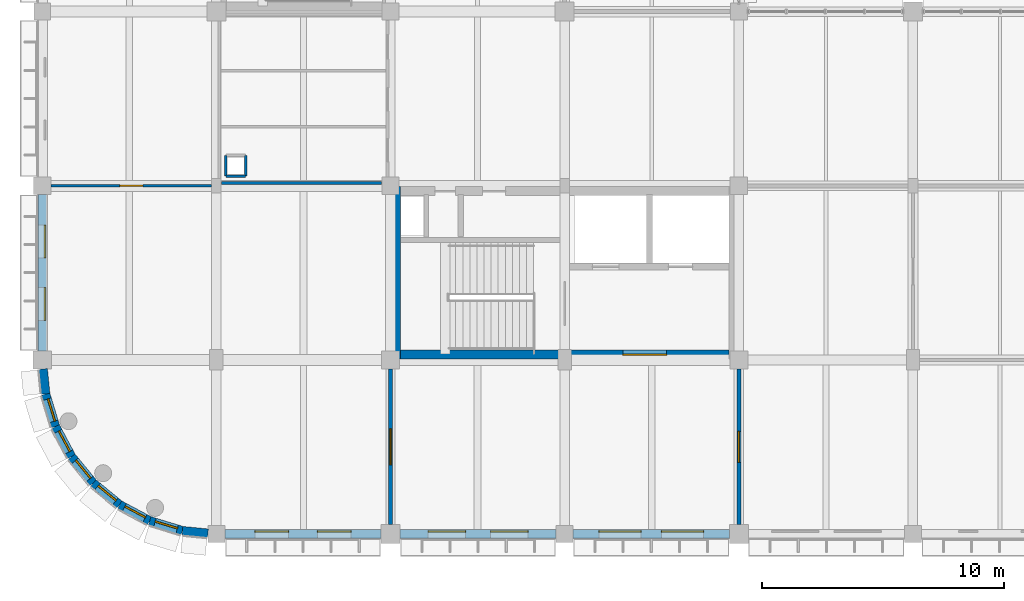
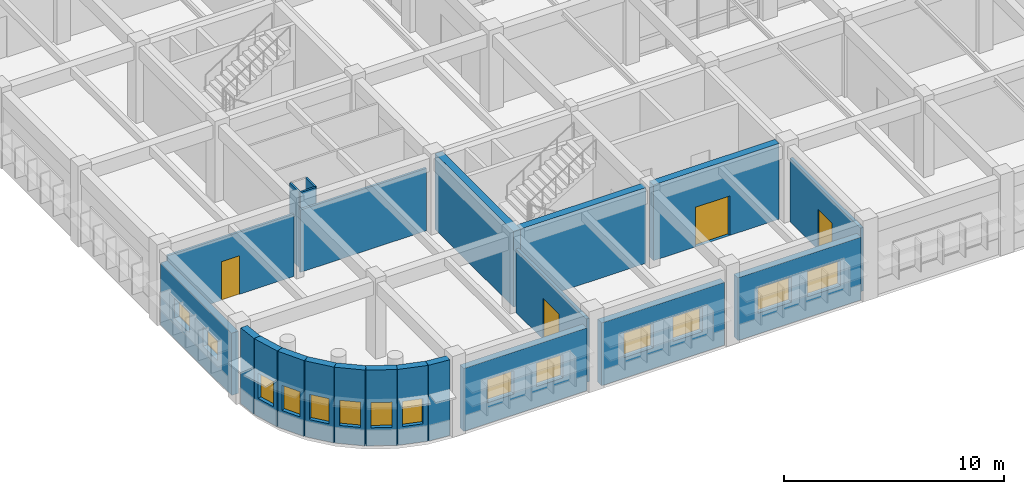
# One storey, part 147 of 171: 22 walls, 14 windows, 4 doors, 18 openings.
"""IFC4 building model written with IfcOpenShell, lengths in metres."""

from ifc_helpers import new_model, si_unit, direction, frame, frame_2d, origin, place, context, subcontext, project, spatial, rectangle, extrude, material, layer, layer_set, type_object, element, fill, save


model = new_model("IFC4")

# Units and contexts
model_context = context("Model", 3, precision=1e-05, world=origin(), true_north=direction((0.0, 1.0)))
body_context = subcontext(model_context, "Body", "Model", "MODEL_VIEW")
ifc_project = project(units=[si_unit("LENGTHUNIT", "METRE"), si_unit("AREAUNIT", "SQUARE_METRE"), si_unit("VOLUMEUNIT", "CUBIC_METRE"), si_unit("PLANEANGLEUNIT", "RADIAN"), si_unit("MASSUNIT", "GRAM", prefix="KILO")], contexts=[model_context])

# Site, building, storey
site_placement = place(None, origin())
site = spatial("IfcSite", under=ifc_project, at=site_placement, CompositionType="ELEMENT")
building_placement = place(site_placement, origin())
building = spatial("IfcBuilding", under=site, at=building_placement, Name="Thalmaran Polytechnic", CompositionType="ELEMENT")
storey_placement = place(building_placement, frame((0.0, 0.0, 5.39990234375)))
storey = spatial("IfcBuildingStorey", under=building, at=storey_placement, Name="L01", CompositionType="ELEMENT", Elevation=5.39990234375)

# Wall
ifc_material_1 = material(Name="Precast concrete C40/50", Category="concrete")
ifc_layer_1 = layer(ifc_material_1, 0.360107421875, Name="Precast concrete C40/50")
ifc_layer_set_1 = layer_set([ifc_layer_1], Name="Precast concrete C40/50")
wall_type_1 = type_object("IfcWallType", Name="WL-EW01", PredefinedType="STANDARD", material=ifc_layer_set_1)
wall_1_placement = place(storey_placement, frame((0.138427734375, 5.79541015625, 0.0), z_axis=(0.0, 0.0, 1.0), x_axis=(-0.097987704654, 0.995187625394, 0.0)))
element("IfcWall", 1, at=wall_1_placement, inside=storey, type_object=wall_type_1, Name="Exterior Precast Facade Wall L01-001", PredefinedType="STANDARD", context=body_context, shape_type="SweptSolid", body=[
    extrude(rectangle(XDim=1.036376953125, YDim=0.360107421875, at=frame_2d((0.51806640625, 0.0))), origin(), (0.0, 0.0, 1.0), 4.210205078125),
])

# Wall, openings, windows
wall_2_placement = place(storey_placement, frame((0.0, 7.574951171875, 0.0), z_axis=(0.0, 0.0, 1.0), x_axis=(0.0, 1.0, 0.0)))
wall_2 = element("IfcWall", 2, at=wall_2_placement, inside=storey, type_object=wall_type_1, Name="Exterior Precast Facade Wall L01-002", PredefinedType="STANDARD", context=body_context, shape_type="SweptSolid", body=[
    extrude(rectangle(XDim=6.465087890625, YDim=0.360107421875, at=frame_2d((3.232421875, 0.0))), origin(), (0.0, 0.0, 1.0), 3.455078125),
])
opening_1_placement = place(wall_2_placement, frame((1.264404296875, 0.0, 1.14990234375)))
opening_1 = element("IfcOpeningElement", 3, at=opening_1_placement, cuts=wall_2, Name="Opening PW15", PredefinedType="OPENING", context=body_context, shape_type="SweptSolid", body=[
    extrude(rectangle(XDim=1.35009765625, YDim=1.10009765625, at=frame_2d((0.675048828125, 0.550048828125))), frame((0.0, 0.18994140625, 0.0), z_axis=(0.0, -1.0, 0.0), x_axis=(1.0, 0.0, 0.0)), (0.0, 0.0, 1.0), 0.380126953125),
])
opening_2_placement = place(wall_2_placement, frame((3.8505859375, 0.0, 1.14990234375)))
opening_2 = element("IfcOpeningElement", 4, at=opening_2_placement, cuts=wall_2, Name="Opening PW15", PredefinedType="OPENING", context=body_context, shape_type="SweptSolid", body=[
    extrude(rectangle(XDim=1.35009765625, YDim=1.10009765625, at=frame_2d((0.675048828125, 0.550048828125))), frame((0.0, 0.18994140625, 0.0), z_axis=(0.0, -1.0, 0.0), x_axis=(1.0, 0.0, 0.0)), (0.0, 0.0, 1.0), 0.380126953125),
])
ifc_material_2 = material(Name="Thermally broken aluminium and double low-E glass", Category="aluminium")
window_type_1 = type_object("IfcWindowType", Name="WN-PW05", PartitioningType="SINGLE_PANEL", PredefinedType="WINDOW", material=ifc_material_2)
window_1_placement = place(opening_1_placement, origin())
window_1 = element("IfcWindow", 5, at=window_1_placement, inside=storey, type_object=window_type_1, Name="Deep-Set Solar-Screened Window W-0084", OverallHeight=1.10009765625, OverallWidth=1.35009765625, PartitioningType="SINGLE_PANEL", PredefinedType="WINDOW", context=body_context, shape_type="SweptSolid", body=[
    extrude(rectangle(XDim=1.35009765625, YDim=1.10009765625, at=frame_2d((0.675048828125, 0.550048828125))), frame((0.0, -0.080078125, 0.0), z_axis=(0.0, -1.0, 0.0), x_axis=(1.0, 0.0, 0.0)), (0.0, 0.0, 1.0), 0.06005859375),
])
fill(opening_1, window_1)
window_2_placement = place(opening_2_placement, origin())
window_2 = element("IfcWindow", 6, at=window_2_placement, inside=storey, type_object=window_type_1, Name="Deep-Set Solar-Screened Window W-0085", OverallHeight=1.10009765625, OverallWidth=1.35009765625, PartitioningType="SINGLE_PANEL", PredefinedType="WINDOW", context=body_context, shape_type="SweptSolid", body=[
    extrude(rectangle(XDim=1.35009765625, YDim=1.10009765625, at=frame_2d((0.675048828125, 0.550048828125))), frame((0.0, -0.080078125, 0.0), z_axis=(0.0, -1.0, 0.0), x_axis=(1.0, 0.0, 0.0)), (0.0, 0.0, 1.0), 0.06005859375),
])
fill(opening_2, window_2)

wall_3_placement = place(storey_placement, frame((28.409912109375, 0.0, 0.0), z_axis=(0.0, 0.0, 1.0), x_axis=(-1.0, 0.0, 0.0)))
wall_3 = element("IfcWall", 7, at=wall_3_placement, inside=storey, type_object=wall_type_1, Name="Exterior Precast Facade Wall L01-089", PredefinedType="STANDARD", context=body_context, shape_type="SweptSolid", body=[
    extrude(rectangle(XDim=6.4599609375, YDim=0.360107421875, at=frame_2d((3.22998046875, 0.0))), origin(), (0.0, 0.0, 1.0), 3.489990234375),
])
opening_3_placement = place(wall_3_placement, frame((1.06298828125, 0.0, 1.14990234375)))
opening_3 = element("IfcOpeningElement", 8, at=opening_3_placement, cuts=wall_3, Name="Opening VW08", PredefinedType="OPENING", context=body_context, shape_type="SweptSolid", body=[
    extrude(rectangle(XDim=1.75, YDim=1.39990234375, at=frame_2d((0.875, 0.699951171875))), frame((0.0, 0.18994140625, 0.0), z_axis=(0.0, -1.0, 0.0), x_axis=(1.0, 0.0, 0.0)), (0.0, 0.0, 1.0), 0.380126953125),
])
opening_4_placement = place(wall_3_placement, frame((3.64697265625, 0.0, 1.14990234375)))
opening_4 = element("IfcOpeningElement", 9, at=opening_4_placement, cuts=wall_3, Name="Opening VW08", PredefinedType="OPENING", context=body_context, shape_type="SweptSolid", body=[
    extrude(rectangle(XDim=1.75, YDim=1.39990234375, at=frame_2d((0.875, 0.699951171875))), frame((0.0, 0.18994140625, 0.0), z_axis=(0.0, -1.0, 0.0), x_axis=(1.0, 0.0, 0.0)), (0.0, 0.0, 1.0), 0.380126953125),
])
window_type_2 = type_object("IfcWindowType", Name="WN-VZ08", PartitioningType="SINGLE_PANEL", PredefinedType="WINDOW", material=ifc_material_2)
window_3_placement = place(opening_3_placement, origin())
window_3 = element("IfcWindow", 10, at=window_3_placement, inside=storey, type_object=window_type_2, Name="Deep-Set Solar-Screened Window W-0149", OverallHeight=1.39990234375, OverallWidth=1.75, PartitioningType="SINGLE_PANEL", PredefinedType="WINDOW", context=body_context, shape_type="SweptSolid", body=[
    extrude(rectangle(XDim=1.75, YDim=1.39990234375, at=frame_2d((0.875, 0.699951171875))), frame((0.0, -0.080078125, 0.0), z_axis=(0.0, -1.0, 0.0), x_axis=(1.0, 0.0, 0.0)), (0.0, 0.0, 1.0), 0.06005859375),
])
fill(opening_3, window_3)
window_4_placement = place(opening_4_placement, origin())
window_4 = element("IfcWindow", 11, at=window_4_placement, inside=storey, type_object=window_type_2, Name="Deep-Set Solar-Screened Window W-0150", OverallHeight=1.39990234375, OverallWidth=1.75, PartitioningType="SINGLE_PANEL", PredefinedType="WINDOW", context=body_context, shape_type="SweptSolid", body=[
    extrude(rectangle(XDim=1.75, YDim=1.39990234375, at=frame_2d((0.875, 0.699951171875))), frame((0.0, -0.080078125, 0.0), z_axis=(0.0, -1.0, 0.0), x_axis=(1.0, 0.0, 0.0)), (0.0, 0.0, 1.0), 0.06005859375),
])
fill(opening_4, window_4)

wall_4_placement = place(storey_placement, frame((21.25, 0.0, 0.0), z_axis=(0.0, 0.0, 1.0), x_axis=(-1.0, 0.0, 0.0)))
wall_4 = element("IfcWall", 12, at=wall_4_placement, inside=storey, type_object=wall_type_1, Name="Exterior Precast Facade Wall L01-090", PredefinedType="STANDARD", context=body_context, shape_type="SweptSolid", body=[
    extrude(rectangle(XDim=6.4599609375, YDim=0.360107421875, at=frame_2d((3.22998046875, 0.0))), origin(), (0.0, 0.0, 1.0), 3.489990234375),
])
opening_5_placement = place(wall_4_placement, frame((1.1630859375, 0.0, 1.14990234375)))
opening_5 = element("IfcOpeningElement", 13, at=opening_5_placement, cuts=wall_4, Name="Opening VW09", PredefinedType="OPENING", context=body_context, shape_type="SweptSolid", body=[
    extrude(rectangle(XDim=1.550048828125, YDim=1.35009765625, at=frame_2d((0.77490234375, 0.675048828125))), frame((0.0, 0.18994140625, 0.0), z_axis=(0.0, -1.0, 0.0), x_axis=(1.0, 0.0, 0.0)), (0.0, 0.0, 1.0), 0.380126953125),
])
opening_6_placement = place(wall_4_placement, frame((3.7470703125, 0.0, 1.14990234375)))
opening_6 = element("IfcOpeningElement", 14, at=opening_6_placement, cuts=wall_4, Name="Opening VW09", PredefinedType="OPENING", context=body_context, shape_type="SweptSolid", body=[
    extrude(rectangle(XDim=1.550048828125, YDim=1.35009765625, at=frame_2d((0.77490234375, 0.675048828125))), frame((0.0, 0.18994140625, 0.0), z_axis=(0.0, -1.0, 0.0), x_axis=(1.0, 0.0, 0.0)), (0.0, 0.0, 1.0), 0.380126953125),
])
window_type_3 = type_object("IfcWindowType", Name="WN-VZ09", PartitioningType="SINGLE_PANEL", PredefinedType="WINDOW", material=ifc_material_2)
window_5_placement = place(opening_5_placement, origin())
window_5 = element("IfcWindow", 15, at=window_5_placement, inside=storey, type_object=window_type_3, Name="Deep-Set Solar-Screened Window W-0151", OverallHeight=1.35009765625, OverallWidth=1.550048828125, PartitioningType="SINGLE_PANEL", PredefinedType="WINDOW", context=body_context, shape_type="SweptSolid", body=[
    extrude(rectangle(XDim=1.550048828125, YDim=1.35009765625, at=frame_2d((0.77490234375, 0.675048828125))), frame((0.0, -0.080078125, 0.0), z_axis=(0.0, -1.0, 0.0), x_axis=(1.0, 0.0, 0.0)), (0.0, 0.0, 1.0), 0.06005859375),
])
fill(opening_5, window_5)
window_6_placement = place(opening_6_placement, origin())
window_6 = element("IfcWindow", 16, at=window_6_placement, inside=storey, type_object=window_type_3, Name="Deep-Set Solar-Screened Window W-0152", OverallHeight=1.35009765625, OverallWidth=1.550048828125, PartitioningType="SINGLE_PANEL", PredefinedType="WINDOW", context=body_context, shape_type="SweptSolid", body=[
    extrude(rectangle(XDim=1.550048828125, YDim=1.35009765625, at=frame_2d((0.77490234375, 0.675048828125))), frame((0.0, -0.080078125, 0.0), z_axis=(0.0, -1.0, 0.0), x_axis=(1.0, 0.0, 0.0)), (0.0, 0.0, 1.0), 0.06005859375),
])
fill(opening_6, window_6)

wall_5_placement = place(storey_placement, frame((14.010009765625, 0.0, 0.0), z_axis=(0.0, 0.0, 1.0), x_axis=(-1.0, 0.0, 0.0)))
wall_5 = element("IfcWall", 17, at=wall_5_placement, inside=storey, type_object=wall_type_1, Name="Exterior Precast Facade Wall L01-091", PredefinedType="STANDARD", context=body_context, shape_type="SweptSolid", body=[
    extrude(rectangle(XDim=6.4599609375, YDim=0.360107421875, at=frame_2d((3.22998046875, 0.0))), origin(), (0.0, 0.0, 1.0), 3.489990234375),
])
opening_7_placement = place(wall_5_placement, frame((1.238037109375, 0.0, 1.14990234375)))
opening_7 = element("IfcOpeningElement", 18, at=opening_7_placement, cuts=wall_5, Name="Opening VW10", PredefinedType="OPENING", context=body_context, shape_type="SweptSolid", body=[
    extrude(rectangle(XDim=1.39990234375, YDim=1.300048828125, at=frame_2d((0.699951171875, 0.64990234375))), frame((0.0, 0.18994140625, 0.0), z_axis=(0.0, -1.0, 0.0), x_axis=(1.0, 0.0, 0.0)), (0.0, 0.0, 1.0), 0.380126953125),
])
opening_8_placement = place(wall_5_placement, frame((3.822021484375, 0.0, 1.14990234375)))
opening_8 = element("IfcOpeningElement", 19, at=opening_8_placement, cuts=wall_5, Name="Opening VW10", PredefinedType="OPENING", context=body_context, shape_type="SweptSolid", body=[
    extrude(rectangle(XDim=1.39990234375, YDim=1.300048828125, at=frame_2d((0.699951171875, 0.64990234375))), frame((0.0, 0.18994140625, 0.0), z_axis=(0.0, -1.0, 0.0), x_axis=(1.0, 0.0, 0.0)), (0.0, 0.0, 1.0), 0.380126953125),
])
window_type_4 = type_object("IfcWindowType", Name="WN-VZ10", PartitioningType="SINGLE_PANEL", PredefinedType="WINDOW", material=ifc_material_2)
window_7_placement = place(opening_7_placement, origin())
window_7 = element("IfcWindow", 20, at=window_7_placement, inside=storey, type_object=window_type_4, Name="Deep-Set Solar-Screened Window W-0153", OverallHeight=1.300048828125, OverallWidth=1.39990234375, PartitioningType="SINGLE_PANEL", PredefinedType="WINDOW", context=body_context, shape_type="SweptSolid", body=[
    extrude(rectangle(XDim=1.39990234375, YDim=1.300048828125, at=frame_2d((0.699951171875, 0.64990234375))), frame((0.0, -0.080078125, 0.0), z_axis=(0.0, -1.0, 0.0), x_axis=(1.0, 0.0, 0.0)), (0.0, 0.0, 1.0), 0.06005859375),
])
fill(opening_7, window_7)
window_8_placement = place(opening_8_placement, origin())
window_8 = element("IfcWindow", 21, at=window_8_placement, inside=storey, type_object=window_type_4, Name="Deep-Set Solar-Screened Window W-0154", OverallHeight=1.300048828125, OverallWidth=1.39990234375, PartitioningType="SINGLE_PANEL", PredefinedType="WINDOW", context=body_context, shape_type="SweptSolid", body=[
    extrude(rectangle(XDim=1.39990234375, YDim=1.300048828125, at=frame_2d((0.699951171875, 0.64990234375))), frame((0.0, -0.080078125, 0.0), z_axis=(0.0, -1.0, 0.0), x_axis=(1.0, 0.0, 0.0)), (0.0, 0.0, 1.0), 0.06005859375),
])
fill(opening_8, window_8)

# Wall
wall_6_placement = place(storey_placement, frame((6.851806640625, 0.034423828125, 0.0), z_axis=(0.0, 0.0, 1.0), x_axis=(-0.995188591484, 0.097977892298, 0.0)))
element("IfcWall", 22, at=wall_6_placement, inside=storey, type_object=wall_type_1, Name="Exterior Precast Facade Wall L01-092", PredefinedType="STANDARD", context=body_context, shape_type="SweptSolid", body=[
    extrude(rectangle(XDim=1.0615234375, YDim=0.360107421875, at=frame_2d((0.53076171875, 0.0))), origin(), (0.0, 0.0, 1.0), 4.210205078125),
])

# Wall, opening, window
wall_7_placement = place(storey_placement, frame((5.79541015625, 0.138427734375, 0.0), z_axis=(0.0, 0.0, 1.0), x_axis=(-0.95696037757, 0.290218599957, 0.0)))
wall_7 = element("IfcWall", 23, at=wall_7_placement, inside=storey, type_object=wall_type_1, Name="Exterior Precast Facade Wall L01-093", PredefinedType="STANDARD", context=body_context, shape_type="SweptSolid", body=[
    extrude(rectangle(XDim=1.41162109375, YDim=0.360107421875, at=frame_2d((0.705810546875, 0.0))), origin(), (0.0, 0.0, 1.0), 4.210205078125),
])
opening_9_placement = place(wall_7_placement, frame((0.2255859375, 0.0, 1.0)))
opening_9 = element("IfcOpeningElement", 24, at=opening_9_placement, cuts=wall_7, Name="Opening CR01", PredefinedType="OPENING", context=body_context, shape_type="SweptSolid", body=[
    extrude(rectangle(XDim=0.9599609375, YDim=1.39990234375, at=frame_2d((0.47998046875, 0.699951171875))), frame((0.0, 0.18994140625, 0.0), z_axis=(0.0, -1.0, 0.0), x_axis=(1.0, 0.0, 0.0)), (0.0, 0.0, 1.0), 0.380126953125),
])
window_type_5 = type_object("IfcWindowType", Name="WN-CR01", PartitioningType="SINGLE_PANEL", PredefinedType="WINDOW", material=ifc_material_2)
window_9_placement = place(opening_9_placement, origin())
window_9 = element("IfcWindow", 25, at=window_9_placement, inside=storey, type_object=window_type_5, Name="Curved Prow Ribbon Window W-0155", OverallHeight=1.39990234375, OverallWidth=0.9599609375, PartitioningType="SINGLE_PANEL", PredefinedType="WINDOW", context=body_context, shape_type="SweptSolid", body=[
    extrude(rectangle(XDim=0.9599609375, YDim=1.39990234375, at=frame_2d((0.47998046875, 0.699951171875))), frame((0.0, -0.010009765625, 0.0), z_axis=(0.0, -1.0, 0.0), x_axis=(1.0, 0.0, 0.0)), (0.0, 0.0, 1.0), 0.06005859375),
])
fill(opening_9, window_9)

wall_8_placement = place(storey_placement, frame((4.444580078125, 0.548095703125, 0.0), z_axis=(0.0, 0.0, 1.0), x_axis=(-0.881916788861, 0.471405109778, 0.0)))
wall_8 = element("IfcWall", 26, at=wall_8_placement, inside=storey, type_object=wall_type_1, Name="Exterior Precast Facade Wall L01-094", PredefinedType="STANDARD", context=body_context, shape_type="SweptSolid", body=[
    extrude(rectangle(XDim=1.411376953125, YDim=0.360107421875, at=frame_2d((0.70556640625, 0.0))), origin(), (0.0, 0.0, 1.0), 4.210205078125),
])
opening_10_placement = place(wall_8_placement, frame((0.2255859375, 0.0, 1.0)))
opening_10 = element("IfcOpeningElement", 27, at=opening_10_placement, cuts=wall_8, Name="Opening CR01", PredefinedType="OPENING", context=body_context, shape_type="SweptSolid", body=[
    extrude(rectangle(XDim=0.9599609375, YDim=1.39990234375, at=frame_2d((0.47998046875, 0.699951171875))), frame((0.0, 0.18994140625, 0.0), z_axis=(0.0, -1.0, 0.0), x_axis=(1.0, 0.0, 0.0)), (0.0, 0.0, 1.0), 0.380126953125),
])
window_10_placement = place(opening_10_placement, origin())
window_10 = element("IfcWindow", 28, at=window_10_placement, inside=storey, type_object=window_type_5, Name="Curved Prow Ribbon Window W-0156", OverallHeight=1.39990234375, OverallWidth=0.9599609375, PartitioningType="SINGLE_PANEL", PredefinedType="WINDOW", context=body_context, shape_type="SweptSolid", body=[
    extrude(rectangle(XDim=0.9599609375, YDim=1.39990234375, at=frame_2d((0.47998046875, 0.699951171875))), frame((0.0, -0.010009765625, 0.0), z_axis=(0.0, -1.0, 0.0), x_axis=(1.0, 0.0, 0.0)), (0.0, 0.0, 1.0), 0.06005859375),
])
fill(opening_10, window_10)

wall_9_placement = place(storey_placement, frame((3.199951171875, 1.21337890625, 0.0), z_axis=(0.0, 0.0, 1.0), x_axis=(-0.772977670605, 0.634433227965, 0.0)))
wall_9 = element("IfcWall", 29, at=wall_9_placement, inside=storey, type_object=wall_type_1, Name="Exterior Precast Facade Wall L01-095", PredefinedType="STANDARD", context=body_context, shape_type="SweptSolid", body=[
    extrude(rectangle(XDim=1.41162109375, YDim=0.360107421875, at=frame_2d((0.705810546875, 0.0))), origin(), (0.0, 0.0, 1.0), 4.210205078125),
])
opening_11_placement = place(wall_9_placement, frame((0.2255859375, 0.0, 1.0)))
opening_11 = element("IfcOpeningElement", 30, at=opening_11_placement, cuts=wall_9, Name="Opening CR01", PredefinedType="OPENING", context=body_context, shape_type="SweptSolid", body=[
    extrude(rectangle(XDim=0.9599609375, YDim=1.39990234375, at=frame_2d((0.47998046875, 0.699951171875))), frame((0.0, 0.18994140625, 0.0), z_axis=(0.0, -1.0, 0.0), x_axis=(1.0, 0.0, 0.0)), (0.0, 0.0, 1.0), 0.380126953125),
])
window_11_placement = place(opening_11_placement, origin())
window_11 = element("IfcWindow", 31, at=window_11_placement, inside=storey, type_object=window_type_5, Name="Curved Prow Ribbon Window W-0157", OverallHeight=1.39990234375, OverallWidth=0.9599609375, PartitioningType="SINGLE_PANEL", PredefinedType="WINDOW", context=body_context, shape_type="SweptSolid", body=[
    extrude(rectangle(XDim=0.9599609375, YDim=1.39990234375, at=frame_2d((0.47998046875, 0.699951171875))), frame((0.0, -0.010009765625, 0.0), z_axis=(0.0, -1.0, 0.0), x_axis=(1.0, 0.0, 0.0)), (0.0, 0.0, 1.0), 0.06005859375),
])
fill(opening_11, window_11)

wall_10_placement = place(storey_placement, frame((2.10888671875, 2.10888671875, 0.0), z_axis=(0.0, 0.0, 1.0), x_axis=(-0.634433227965, 0.772977670605, 0.0)))
wall_10 = element("IfcWall", 32, at=wall_10_placement, inside=storey, type_object=wall_type_1, Name="Exterior Precast Facade Wall L01-096", PredefinedType="STANDARD", context=body_context, shape_type="SweptSolid", body=[
    extrude(rectangle(XDim=1.41162109375, YDim=0.360107421875, at=frame_2d((0.705810546875, 0.0))), origin(), (0.0, 0.0, 1.0), 4.210205078125),
])
opening_12_placement = place(wall_10_placement, frame((0.2255859375, 0.0, 1.0)))
opening_12 = element("IfcOpeningElement", 33, at=opening_12_placement, cuts=wall_10, Name="Opening CR01", PredefinedType="OPENING", context=body_context, shape_type="SweptSolid", body=[
    extrude(rectangle(XDim=0.9599609375, YDim=1.39990234375, at=frame_2d((0.47998046875, 0.699951171875))), frame((0.0, 0.18994140625, 0.0), z_axis=(0.0, -1.0, 0.0), x_axis=(1.0, 0.0, 0.0)), (0.0, 0.0, 1.0), 0.380126953125),
])
window_12_placement = place(opening_12_placement, origin())
window_12 = element("IfcWindow", 34, at=window_12_placement, inside=storey, type_object=window_type_5, Name="Curved Prow Ribbon Window W-0158", OverallHeight=1.39990234375, OverallWidth=0.9599609375, PartitioningType="SINGLE_PANEL", PredefinedType="WINDOW", context=body_context, shape_type="SweptSolid", body=[
    extrude(rectangle(XDim=0.9599609375, YDim=1.39990234375, at=frame_2d((0.47998046875, 0.699951171875))), frame((0.0, -0.010009765625, 0.0), z_axis=(0.0, -1.0, 0.0), x_axis=(1.0, 0.0, 0.0)), (0.0, 0.0, 1.0), 0.06005859375),
])
fill(opening_12, window_12)

wall_11_placement = place(storey_placement, frame((1.21337890625, 3.199951171875, 0.0), z_axis=(0.0, 0.0, 1.0), x_axis=(-0.471405109778, 0.881916788861, 0.0)))
wall_11 = element("IfcWall", 35, at=wall_11_placement, inside=storey, type_object=wall_type_1, Name="Exterior Precast Facade Wall L01-097", PredefinedType="STANDARD", context=body_context, shape_type="SweptSolid", body=[
    extrude(rectangle(XDim=1.411376953125, YDim=0.360107421875, at=frame_2d((0.70556640625, 0.0))), origin(), (0.0, 0.0, 1.0), 4.210205078125),
])
opening_13_placement = place(wall_11_placement, frame((0.2255859375, 0.0, 1.0)))
opening_13 = element("IfcOpeningElement", 36, at=opening_13_placement, cuts=wall_11, Name="Opening CR01", PredefinedType="OPENING", context=body_context, shape_type="SweptSolid", body=[
    extrude(rectangle(XDim=0.9599609375, YDim=1.39990234375, at=frame_2d((0.47998046875, 0.699951171875))), frame((0.0, 0.18994140625, 0.0), z_axis=(0.0, -1.0, 0.0), x_axis=(1.0, 0.0, 0.0)), (0.0, 0.0, 1.0), 0.380126953125),
])
window_13_placement = place(opening_13_placement, origin())
window_13 = element("IfcWindow", 37, at=window_13_placement, inside=storey, type_object=window_type_5, Name="Curved Prow Ribbon Window W-0159", OverallHeight=1.39990234375, OverallWidth=0.9599609375, PartitioningType="SINGLE_PANEL", PredefinedType="WINDOW", context=body_context, shape_type="SweptSolid", body=[
    extrude(rectangle(XDim=0.9599609375, YDim=1.39990234375, at=frame_2d((0.47998046875, 0.699951171875))), frame((0.0, -0.010009765625, 0.0), z_axis=(0.0, -1.0, 0.0), x_axis=(1.0, 0.0, 0.0)), (0.0, 0.0, 1.0), 0.06005859375),
])
fill(opening_13, window_13)

wall_12_placement = place(storey_placement, frame((0.548095703125, 4.444580078125, 0.0), z_axis=(0.0, 0.0, 1.0), x_axis=(-0.290218599957, 0.95696037757, 0.0)))
wall_12 = element("IfcWall", 38, at=wall_12_placement, inside=storey, type_object=wall_type_1, Name="Exterior Precast Facade Wall L01-098", PredefinedType="STANDARD", context=body_context, shape_type="SweptSolid", body=[
    extrude(rectangle(XDim=1.41162109375, YDim=0.360107421875, at=frame_2d((0.705810546875, 0.0))), origin(), (0.0, 0.0, 1.0), 4.210205078125),
])
opening_14_placement = place(wall_12_placement, frame((0.2255859375, 0.0, 1.0)))
opening_14 = element("IfcOpeningElement", 39, at=opening_14_placement, cuts=wall_12, Name="Opening CR01", PredefinedType="OPENING", context=body_context, shape_type="SweptSolid", body=[
    extrude(rectangle(XDim=0.9599609375, YDim=1.39990234375, at=frame_2d((0.47998046875, 0.699951171875))), frame((0.0, 0.18994140625, 0.0), z_axis=(0.0, -1.0, 0.0), x_axis=(1.0, 0.0, 0.0)), (0.0, 0.0, 1.0), 0.380126953125),
])
window_14_placement = place(opening_14_placement, origin())
window_14 = element("IfcWindow", 40, at=window_14_placement, inside=storey, type_object=window_type_5, Name="Curved Prow Ribbon Window W-0160", OverallHeight=1.39990234375, OverallWidth=0.9599609375, PartitioningType="SINGLE_PANEL", PredefinedType="WINDOW", context=body_context, shape_type="SweptSolid", body=[
    extrude(rectangle(XDim=0.9599609375, YDim=1.39990234375, at=frame_2d((0.47998046875, 0.699951171875))), frame((0.0, -0.010009765625, 0.0), z_axis=(0.0, -1.0, 0.0), x_axis=(1.0, 0.0, 0.0)), (0.0, 0.0, 1.0), 0.06005859375),
])
fill(opening_14, window_14)

# Wall, opening, door
ifc_material_3 = material(Name="Gypsum acoustic partition")
ifc_layer_2 = layer(ifc_material_3, 0.159912109375, Name="Gypsum acoustic partition")
ifc_layer_set_2 = layer_set([ifc_layer_2], Name="Gypsum acoustic partition")
wall_type_2 = type_object("IfcWallType", Name="WL-IW05", PredefinedType="PARTITIONING", material=ifc_layer_set_2)
wall_13_placement = place(storey_placement, frame((14.39990234375, 0.39501953125, 0.0), z_axis=(0.0, 0.0, 1.0), x_axis=(0.0, 1.0, 0.0)))
wall_13 = element("IfcWall", 41, at=wall_13_placement, inside=storey, type_object=wall_type_2, Name="Interior Partition IW05 L01-010", PredefinedType="PARTITIONING", context=body_context, shape_type="SweptSolid", body=[
    extrude(rectangle(XDim=6.425048828125, YDim=0.159912109375, at=frame_2d((3.21240234375, 0.0))), origin(), (0.0, 0.0, 1.0), 3.525146484375),
])
opening_15_placement = place(wall_13_placement, frame((2.472412109375, 0.0, 0.0)))
opening_15 = element("IfcOpeningElement", 42, at=opening_15_placement, cuts=wall_13, Name="Opening D-L01-005-1-01-1", PredefinedType="OPENING", context=body_context, shape_type="SweptSolid", body=[
    extrude(rectangle(XDim=1.47998046875, YDim=2.280029296875, at=frame_2d((0.739990234375, 1.14013671875))), frame((0.0, 0.08984375, 0.0), z_axis=(0.0, -1.0, 0.0), x_axis=(1.0, 0.0, 0.0)), (0.0, 0.0, 1.0), 0.179931640625),
])
ifc_material_4 = material(Name="Powder-coated fire-rated steel", Category="steel")
door_type_1 = type_object("IfcDoorType", Name="DR-ZD09", OperationType="NOTDEFINED", PredefinedType="DOOR", material=ifc_material_4)
door_1_placement = place(opening_15_placement, origin())
door_1 = element("IfcDoor", 43, at=door_1_placement, inside=storey, type_object=door_type_1, Name="Materials Testing Laboratory L01-01 Door 1", OperationType="SINGLE_SWING_RIGHT", OverallHeight=2.280029296875, OverallWidth=1.47998046875, PredefinedType="DOOR", context=body_context, shape_type="SweptSolid", body=[
    extrude(rectangle(XDim=1.47998046875, YDim=2.280029296875, at=frame_2d((0.739990234375, 1.14013671875))), frame((0.0, 0.02490234375, 0.0), z_axis=(0.0, -1.0, 0.0), x_axis=(1.0, 0.0, 0.0)), (0.0, 0.0, 1.0), 0.050048828125),
])
fill(opening_15, door_1)

wall_14_placement = place(storey_placement, frame((28.800048828125, 0.39501953125, 0.0), z_axis=(0.0, 0.0, 1.0), x_axis=(0.0, 1.0, 0.0)))
wall_14 = element("IfcWall", 44, at=wall_14_placement, inside=storey, type_object=wall_type_2, Name="Interior Partition IW05 L01-033", PredefinedType="PARTITIONING", context=body_context, shape_type="SweptSolid", body=[
    extrude(rectangle(XDim=6.425048828125, YDim=0.159912109375, at=frame_2d((3.21240234375, 0.0))), origin(), (0.0, 0.0, 1.0), 3.525146484375),
])
opening_16_placement = place(wall_14_placement, frame((2.572509765625, 0.0, 0.0)))
opening_16 = element("IfcOpeningElement", 45, at=opening_16_placement, cuts=wall_14, Name="Opening D-L01-006-1-02-1", PredefinedType="OPENING", context=body_context, shape_type="SweptSolid", body=[
    extrude(rectangle(XDim=1.280029296875, YDim=2.239990234375, at=frame_2d((0.64013671875, 1.1201171875))), frame((0.0, 0.08984375, 0.0), z_axis=(0.0, -1.0, 0.0), x_axis=(1.0, 0.0, 0.0)), (0.0, 0.0, 1.0), 0.179931640625),
])
door_type_2 = type_object("IfcDoorType", Name="DR-ZD10", OperationType="NOTDEFINED", PredefinedType="DOOR", material=ifc_material_4)
door_2_placement = place(opening_16_placement, origin())
door_2 = element("IfcDoor", 46, at=door_2_placement, inside=storey, type_object=door_type_2, Name="Industrial Design Studio L01-02 Door 1", OperationType="SINGLE_SWING_LEFT", OverallHeight=2.239990234375, OverallWidth=1.280029296875, PredefinedType="DOOR", context=body_context, shape_type="SweptSolid", body=[
    extrude(rectangle(XDim=1.280029296875, YDim=2.239990234375, at=frame_2d((0.64013671875, 1.1201171875))), frame((0.0, 0.02490234375, 0.0), z_axis=(0.0, -1.0, 0.0), x_axis=(1.0, 0.0, 0.0)), (0.0, 0.0, 1.0), 0.050048828125),
])
fill(opening_16, door_2)

# Wall
ifc_layer_3 = layer(ifc_material_3, 0.114990234375, Name="Gypsum acoustic partition")
ifc_layer_set_3 = layer_set([ifc_layer_3], Name="Gypsum acoustic partition")
wall_type_3 = type_object("IfcWallType", Name="WL-IW08", PredefinedType="PARTITIONING", material=ifc_layer_set_3)
wall_15_placement = place(storey_placement, frame((7.405029296875, 14.52001953125, 0.0), z_axis=(0.0, 0.0, 1.0), x_axis=(1.0, 0.0, 0.0)))
element("IfcWall", 47, at=wall_15_placement, inside=storey, type_object=wall_type_3, Name="Sanitary Core Wall L01-W1-S", PredefinedType="PARTITIONING", context=body_context, shape_type="SweptSolid", body=[
    extrude(rectangle(XDim=6.6298828125, YDim=0.114990234375, at=frame_2d((3.31494140625, 0.0))), origin(), (0.0, 0.0, 1.0), 3.47021484375),
])

# Wall, opening, door
wall_16_placement = place(storey_placement, frame((0.364990234375, 14.39990234375, 0.0), z_axis=(0.0, 0.0, 1.0), x_axis=(1.0, 0.0, 0.0)))
wall_16 = element("IfcWall", 48, at=wall_16_placement, inside=storey, type_object=wall_type_3, Name="Interior Partition IW08 L01-001", PredefinedType="PARTITIONING", context=body_context, shape_type="SweptSolid", body=[
    extrude(rectangle(XDim=6.630126953125, YDim=0.114990234375, at=frame_2d((3.31494140625, 0.0))), origin(), (0.0, 0.0, 1.0), 3.460205078125),
])
opening_17_placement = place(wall_16_placement, frame((2.840087890625, 0.0, 0.0)))
opening_17 = element("IfcOpeningElement", 49, at=opening_17_placement, cuts=wall_16, Name="Opening D-L01-008-1-04-1", PredefinedType="OPENING", context=body_context, shape_type="SweptSolid", body=[
    extrude(rectangle(XDim=0.949951171875, YDim=2.14990234375, at=frame_2d((0.47509765625, 1.074951171875))), frame((0.0, 0.0673828125, 0.0), z_axis=(0.0, -1.0, 0.0), x_axis=(1.0, 0.0, 0.0)), (0.0, 0.0, 1.0), 0.135009765625),
])
door_type_3 = type_object("IfcDoorType", Name="DR-FD08", OperationType="NOTDEFINED", PredefinedType="DOOR", material=ifc_material_4)
door_3_placement = place(opening_17_placement, origin())
door_3 = element("IfcDoor", 50, at=door_3_placement, inside=storey, type_object=door_type_3, Name="Thermodynamics Laboratory L01-04 Door 1", OperationType="SINGLE_SWING_LEFT", OverallHeight=2.14990234375, OverallWidth=0.949951171875, PredefinedType="DOOR", context=body_context, shape_type="SweptSolid", body=[
    extrude(rectangle(XDim=0.949951171875, YDim=2.14990234375, at=frame_2d((0.47509765625, 1.074951171875))), frame((0.0, 0.02490234375, 0.0), z_axis=(0.0, -1.0, 0.0), x_axis=(1.0, 0.0, 0.0)), (0.0, 0.0, 1.0), 0.050048828125),
])
fill(opening_17, door_3)

# Walls
ifc_material_5 = material(Name="Moisture-resistant partition")
ifc_layer_4 = layer(ifc_material_5, 0.10009765625, Name="Moisture-resistant partition")
ifc_layer_set_4 = layer_set([ifc_layer_4], Name="Moisture-resistant partition")
wall_type_4 = type_object("IfcWallType", Name="WL-IW09", PredefinedType="PARTITIONING", material=ifc_layer_set_4)
wall_17_placement = place(storey_placement, frame((7.590087890625, 14.800048828125, 0.0), z_axis=(0.0, 0.0, 1.0), x_axis=(1.0, 0.0, 0.0)))
element("IfcWall", 51, at=wall_17_placement, inside=storey, type_object=wall_type_4, Name="Plumbing Riser Chase Wall L01-W1-S", PredefinedType="PARTITIONING", context=body_context, shape_type="SweptSolid", body=[
    extrude(rectangle(XDim=0.81982421875, YDim=0.10009765625, at=frame_2d((0.409912109375, 0.0))), origin(), (0.0, 0.0, 1.0), 4.210205078125),
])
for number, where, z_axis, x_axis, name in (
    (52, (8.409912109375, 14.800048828125, 0.0), (0.0, 0.0, 1.0), (0.0, 1.0, 0.0), "Plumbing Riser Chase Wall L01-W1-E"),
    (53, (7.590087890625, 15.659912109375, 0.0), (0.0, 0.0, 1.0), (0.0, -1.0, 0.0), "Plumbing Riser Chase Wall L01-W1-W"),
):
    element("IfcWall", number, at=place(storey_placement, frame(where, z_axis=z_axis, x_axis=x_axis)), inside=storey, type_object=wall_type_4, Name=name, PredefinedType="PARTITIONING", context=body_context, shape_type="SweptSolid", body=[
        extrude(rectangle(XDim=0.85986328125, YDim=0.10009765625, at=frame_2d((0.429931640625, 0.0))), origin(), (0.0, 0.0, 1.0), 4.210205078125),
    ])
ifc_material_6 = material(Name="Concrete C50/60", Category="concrete")
ifc_layer_5 = layer(ifc_material_6, 0.3798828125, Name="Concrete C50/60")
ifc_layer_set_5 = layer_set([ifc_layer_5], Name="Concrete C50/60")
wall_type_5 = type_object("IfcWallType", Name="WL-SW02", PredefinedType="SHEAR", material=ifc_layer_set_5)
wall_18_placement = place(storey_placement, frame((14.81005859375, 7.419921875, 0.0), z_axis=(0.0, 0.0, 1.0), x_axis=(1.0, 0.0, 0.0)))
element("IfcWall", 54, at=wall_18_placement, inside=storey, type_object=wall_type_5, Name="Core C1 South Shear Wall L01", PredefinedType="SHEAR", context=body_context, shape_type="SweptSolid", body=[
    extrude(rectangle(XDim=6.599853515625, YDim=0.3798828125, at=frame_2d((3.2998046875, 0.0))), origin(), (0.0, 0.0, 1.0), 4.210205078125),
])
wall_19_placement = place(storey_placement, frame((14.6201171875, 14.3701171875, 0.0), z_axis=(0.0, 0.0, 1.0), x_axis=(0.0, -1.0, 0.0)))
element("IfcWall", 55, at=wall_19_placement, inside=storey, type_object=wall_type_5, Name="Core C1 West Shear Wall L01", PredefinedType="SHEAR", context=body_context, shape_type="SweptSolid", body=[
    extrude(rectangle(XDim=7.14013671875, YDim=0.3798828125, at=frame_2d((3.570068359375, 0.0))), origin(), (0.0, 0.0, 1.0), 4.210205078125),
])

# Wall, opening, door
wall_20_placement = place(storey_placement, frame((21.7900390625, 7.419921875, 0.0), z_axis=(0.0, 0.0, 1.0), x_axis=(1.0, 0.0, 0.0)))
wall_20 = element("IfcWall", 56, at=wall_20_placement, inside=storey, type_object=wall_type_5, Name="Core C1 Lobby South Wall L01", PredefinedType="SHEAR", context=body_context, shape_type="SweptSolid", body=[
    extrude(rectangle(XDim=6.599853515625, YDim=0.3798828125, at=frame_2d((3.2998046875, 0.0))), origin(), (0.0, 0.0, 1.0), 4.210205078125),
])
opening_18_placement = place(wall_20_placement, frame((2.219970703125, 0.0, 0.0)))
opening_18 = element("IfcOpeningElement", 57, at=opening_18_placement, cuts=wall_20, Name="Opening FD-C1-L01", PredefinedType="OPENING", context=body_context, shape_type="SweptSolid", body=[
    extrude(rectangle(XDim=1.800048828125, YDim=2.199951171875, at=frame_2d((0.89990234375, 1.10009765625))), frame((0.0, 0.199951171875, 0.0), z_axis=(0.0, -1.0, 0.0), x_axis=(1.0, 0.0, 0.0)), (0.0, 0.0, 1.0), 0.39990234375),
])
door_type_4 = type_object("IfcDoorType", Name="DR-FD01", OperationType="NOTDEFINED", PredefinedType="DOOR", material=ifc_material_4)
door_4_placement = place(opening_18_placement, origin())
door_4 = element("IfcDoor", 58, at=door_4_placement, inside=storey, type_object=door_type_4, Name="Firefighting Lift Lobby Entrance Door C1 L01", OperationType="DOUBLE_DOOR_SINGLE_SWING", OverallHeight=2.199951171875, OverallWidth=1.800048828125, PredefinedType="DOOR", context=body_context, shape_type="SweptSolid", body=[
    extrude(rectangle(XDim=1.800048828125, YDim=2.199951171875, at=frame_2d((0.89990234375, 1.10009765625))), frame((0.0, 0.02490234375, 0.0), z_axis=(0.0, -1.0, 0.0), x_axis=(1.0, 0.0, 0.0)), (0.0, 0.0, 1.0), 0.050048828125),
])
fill(opening_18, door_4)

save(model, "model.ifc")
